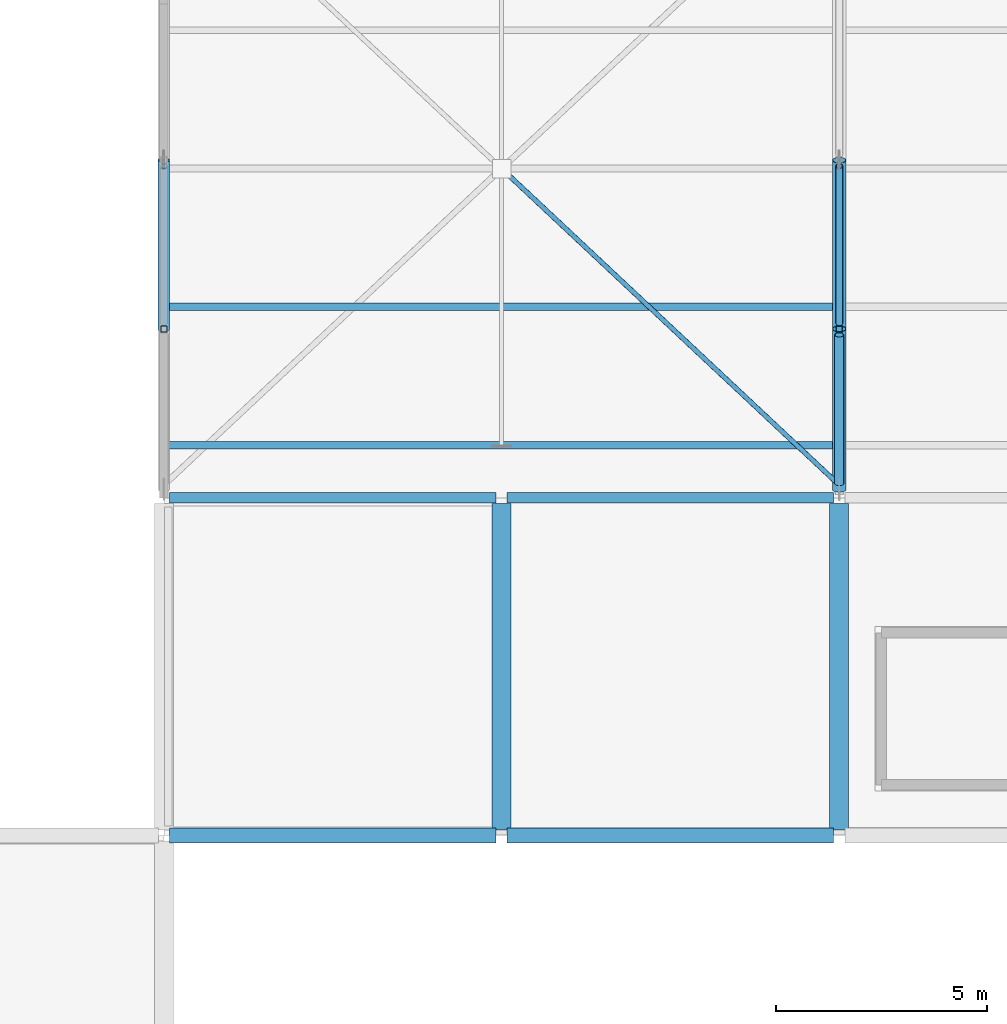
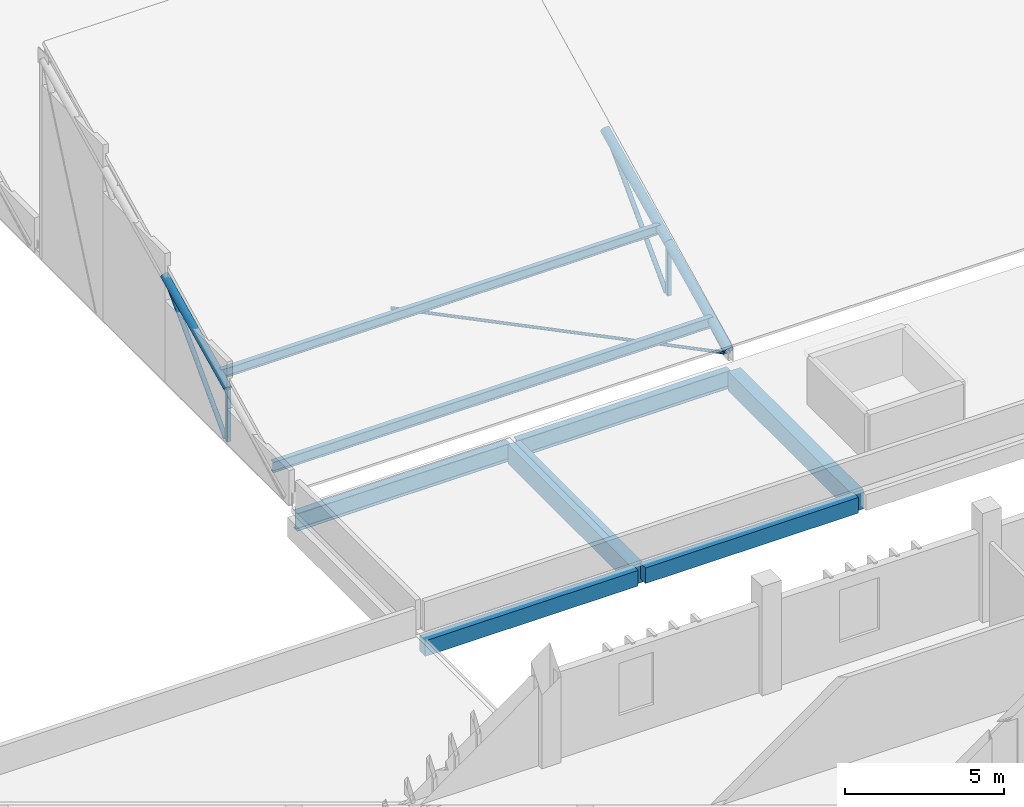
# One storey, part 36 of 137: 9 members, 8 beams.
"""IFC4 building model written with IfcOpenShell, lengths in metres."""

import ifcopenshell
import ifcopenshell.guid

model = None  # the IFC model being written
_history = None  # IfcOwnerHistory: only IFC2X3 demands one
_inside = {}  # id of a spatial element -> (the spatial element, [elements in it])
_under = {}  # id of a project, library or spatial element -> (it, [spatial elements below it])
_declared = {}  # id of a project -> (the project, [libraries it declares])
_typed = {}  # id of a type object -> (the type object, [elements of that type])
_made_of = {}  # id of a material, layer set ... -> (it, [elements and type objects made of it])


def new_model(schema):
    """Start an empty IFC model of exactly this schema.

    Asked for "IFC4X3", IfcOpenShell would pick the latest addendum, in which some entities
    have other attributes; the version numbers below select the first issue.
    IFC2X3 requires an IfcOwnerHistory on every rooted entity: one is made here for all.
    """
    global model, _history
    if schema == "IFC4X3":
        model = ifcopenshell.file(schema_version=(4, 3, 0, 0))
    else:
        model = ifcopenshell.file(schema=schema)
    _inside.clear()
    _under.clear()
    _declared.clear()
    _typed.clear()
    _made_of.clear()
    _history = None
    if model.schema == "IFC2X3":
        org = make("IfcOrganization", Name="unknown")
        user = make(
            "IfcPersonAndOrganization",
            ThePerson=make("IfcPerson", FamilyName="unknown"),
            TheOrganization=org,
        )
        app = make(
            "IfcApplication",
            ApplicationDeveloper=org,
            Version="unknown",
            ApplicationFullName="unknown",
            ApplicationIdentifier="unknown",
        )
        _history = make(
            "IfcOwnerHistory",
            OwningUser=user,
            OwningApplication=app,
            ChangeAction="ADDED",
            CreationDate=0,
        )
    return model


def make(cls, **values):
    """One entity of the class cls with the attributes given. An attribute that is None is left unset."""
    return model.create_entity(
        cls, **{name: value for name, value in values.items() if value is not None}
    )


def rooted(cls, **values):
    """An entity with a GlobalId (a new one), such as an element, a storey or a relation."""
    return make(cls, GlobalId=ifcopenshell.guid.new(), OwnerHistory=_history, **values)


def si_unit(unit_type, name, prefix=None):
    """IfcSIUnit, for example si_unit("LENGTHUNIT", "METRE", prefix="MILLI")."""
    return make("IfcSIUnit", UnitType=unit_type, Prefix=prefix, Name=name)


def assignment(units):
    """IfcUnitAssignment: the units of a project."""
    return None if units is None else make("IfcUnitAssignment", Units=units)


def point(xyz):
    """IfcCartesianPoint."""
    return None if xyz is None else make("IfcCartesianPoint", Coordinates=xyz)


def direction(xyz):
    """IfcDirection."""
    return None if xyz is None else make("IfcDirection", DirectionRatios=xyz)


def frame(location, z_axis=None, x_axis=None):
    """IfcAxis2Placement3D, a coordinate frame: its origin and axes. An axis left out is left unset."""
    return make(
        "IfcAxis2Placement3D",
        Location=point(location),
        Axis=direction(z_axis),
        RefDirection=direction(x_axis),
    )


def frame_2d(location, x_axis=None):
    """IfcAxis2Placement2D, a coordinate frame in the plane: its origin and x axis."""
    return make(
        "IfcAxis2Placement2D", Location=point(location), RefDirection=direction(x_axis)
    )


def origin():
    """The frame at (0, 0, 0) with its axes left unset."""
    return frame((0.0, 0.0, 0.0))


def origin_2d():
    """The frame at (0, 0) in the plane with its x axis left unset."""
    return frame_2d((0.0, 0.0))


def place(relative_to, where):
    """IfcLocalPlacement: puts the frame where relative to a parent placement (None: the world)."""
    return make(
        "IfcLocalPlacement", PlacementRelTo=relative_to, RelativePlacement=where
    )


def context(
    kind, dimensions, precision=None, world=None, true_north=None, identifier=None
):
    """IfcGeometricRepresentationContext, for example the 3D "Model" context."""
    return make(
        "IfcGeometricRepresentationContext",
        ContextIdentifier=identifier,
        ContextType=kind,
        CoordinateSpaceDimension=dimensions,
        Precision=precision,
        WorldCoordinateSystem=world,
        TrueNorth=true_north,
    )


def subcontext(parent, identifier, kind, view, scale=None):
    """IfcGeometricRepresentationSubContext, for example "Body" below "Model"."""
    return make(
        "IfcGeometricRepresentationSubContext",
        ContextIdentifier=identifier,
        ContextType=kind,
        ParentContext=parent,
        TargetScale=scale,
        TargetView=view,
    )


def project(units=None, contexts=None):
    """IfcProject with its units and contexts."""
    return rooted(
        "IfcProject",
        Name="project",
        RepresentationContexts=contexts,
        UnitsInContext=assignment(units),
    )


def spatial(cls, under=None, at=None, **own):
    """A site, building, storey or space (cls), placed at a placement, below another one or the project."""
    s = rooted(cls, ObjectPlacement=at, **own)
    if under is not None:
        _under.setdefault(under.id(), (under, []))[1].append(s)
    return s


def profile(cls, at=None, kind="AREA", **sizes):
    """A parametric profile (cls). Its sizes go by their IFC names, for example OverallWidth=200.0."""
    return make(cls, ProfileType=kind, Position=at, **sizes)


def rectangle(**sizes):
    """IfcRectangleProfileDef."""
    return profile("IfcRectangleProfileDef", **sizes)


def hollow_rectangle(**sizes):
    """IfcRectangleHollowProfileDef."""
    return profile("IfcRectangleHollowProfileDef", **sizes)


def hollow_circle(**sizes):
    """IfcCircleHollowProfileDef."""
    return profile("IfcCircleHollowProfileDef", **sizes)


def i_section(**sizes):
    """IfcIShapeProfileDef."""
    return profile("IfcIShapeProfileDef", **sizes)


def extrude(swept, where, along, depth):
    """IfcExtrudedAreaSolid: the profile swept, set in the frame where, extruded along a direction by depth."""
    return make(
        "IfcExtrudedAreaSolid",
        SweptArea=swept,
        Position=where,
        ExtrudedDirection=direction(along),
        Depth=depth,
    )


def shape(context_of_items, identifier, shape_type, items):
    """IfcShapeRepresentation: the items that make up one representation, for example the "Body"."""
    return make(
        "IfcShapeRepresentation",
        ContextOfItems=context_of_items,
        RepresentationIdentifier=identifier,
        RepresentationType=shape_type,
        Items=items,
    )


def material(Name=None, Category=None):
    """IfcMaterial."""
    return make("IfcMaterial", Name=Name, Category=Category)


def material_profile(
    of_material, cross_section, Name=None, Category=None, Priority=None
):
    """IfcMaterialProfile: a cross section and its material."""
    return make(
        "IfcMaterialProfile",
        Name=Name,
        Material=of_material,
        Profile=cross_section,
        Priority=Priority,
        Category=Category,
    )


def profile_set(profiles, Name=None, composite=None):
    """IfcMaterialProfileSet."""
    return make(
        "IfcMaterialProfileSet",
        Name=Name,
        MaterialProfiles=profiles,
        CompositeProfile=composite,
    )


def made_of(thing, what):
    """Note that an element or type object is made of a material, layer set ...; save() writes the relation."""
    if what is not None:
        _made_of.setdefault(what.id(), (what, []))[1].append(thing)
    return thing


def type_object(cls, material=None, **own):
    """A type object (cls), such as IfcWallType, which elements share."""
    return made_of(rooted(cls, **own), material)


def element(
    cls,
    number,
    at=None,
    inside=None,
    cuts=None,
    type_object=None,
    material=None,
    context=None,
    identifier="Body",
    shape_type=None,
    held_by="IfcProductDefinitionShape",
    body=None,
    shapes=None,
    **own,
):
    """One element of the class cls, such as IfcWall. Its Tag is "e" and its number.

    at: its placement. inside: the storey or other place that contains it. cuts: it is an
    opening in that element (IfcRelVoidsElement). A single representation is given by context,
    identifier, shape_type and body (its items); several are given by shapes. held_by: the class
    of the entity that holds the representations. save() writes the other relations.
    """
    e = rooted(cls, Tag="e%d" % number, ObjectPlacement=at, **own)
    if body is not None:
        shapes = [shape(context, identifier, shape_type, body)]
    if shapes is not None:
        e.Representation = make(held_by, Representations=shapes)
    if inside is not None:
        _inside.setdefault(inside.id(), (inside, []))[1].append(e)
    if cuts is not None:
        rooted(
            "IfcRelVoidsElement", RelatingBuildingElement=cuts, RelatedOpeningElement=e
        )
    if type_object is not None:
        _typed.setdefault(type_object.id(), (type_object, []))[1].append(e)
    return made_of(e, material)


def aggregate(whole, parts):
    """IfcRelAggregates: a whole, such as a stair, and the parts it consists of."""
    return rooted("IfcRelAggregates", RelatingObject=whole, RelatedObjects=parts)


def save(model, path):
    """Write the relations noted so far, then the file.

    IfcRelAggregates (storeys below a building ...), IfcRelContainedInSpatialStructure (elements
    in a storey), IfcRelDefinesByType, IfcRelAssociatesMaterial and IfcRelDeclares: one each for
    every whole, place, type object, material and project.
    """
    for whole, parts in _under.values():
        aggregate(whole, parts)
    for where, things in _inside.values():
        rooted(
            "IfcRelContainedInSpatialStructure",
            RelatedElements=things,
            RelatingStructure=where,
        )
    for kind, things in _typed.values():
        rooted("IfcRelDefinesByType", RelatedObjects=things, RelatingType=kind)
    for what, things in _made_of.values():
        rooted("IfcRelAssociatesMaterial", RelatedObjects=things, RelatingMaterial=what)
    for by, libraries in _declared.values():
        rooted("IfcRelDeclares", RelatingContext=by, RelatedDefinitions=libraries)
    model.write(path)


model = new_model("IFC4")

# Units and contexts
model_context = context("Model", 3, precision=1e-05, world=origin(), true_north=direction((0.0, 1.0)))
body_context = subcontext(model_context, "Body", "Model", "MODEL_VIEW")
ifc_project = project(units=[si_unit("LENGTHUNIT", "METRE"), si_unit("AREAUNIT", "SQUARE_METRE"), si_unit("VOLUMEUNIT", "CUBIC_METRE"), si_unit("PLANEANGLEUNIT", "RADIAN"), si_unit("MASSUNIT", "GRAM", prefix="KILO")], contexts=[model_context])

# Site, building, storey
site_placement = place(None, origin())
site = spatial("IfcSite", under=ifc_project, at=site_placement, CompositionType="ELEMENT")
building_placement = place(site_placement, origin())
building = spatial("IfcBuilding", under=site, at=building_placement, Name="Jelvoka-Kovrelna Polytechnic", CompositionType="ELEMENT")
storey_placement = place(building_placement, frame((0.0, 0.0, 9.60009765625)))
storey = spatial("IfcBuildingStorey", under=building, at=storey_placement, Name="L03", CompositionType="ELEMENT", Elevation=9.60009765625)

# Beams
ifc_material_1 = material(Name="Concrete C40/50", Category="concrete")
ifc_material_profile_1 = material_profile(ifc_material_1, rectangle(XDim=0.449951171875, YDim=0.75, at=origin_2d()), Name="RC 450x750")
ifc_profile_set_1 = profile_set([ifc_material_profile_1], Name="Concrete C40/50")
beam_type_1 = type_object("IfcBeamType", Name="Beam_RC_450x750", PredefinedType="BEAM", material=ifc_profile_set_1)
for number, where, z_axis, x_axis, name in (
    (1, (96.0, 80.1337890625, -0.585205078125), (0.0, 1.0, 0.0), (-1.0, 0.0, 0.0), "L03 beam 2087"),
    (2, (104.0, 80.1337890625, -0.585205078125), (0.0, 1.0, 0.0), (-1.0, 0.0, 0.0), "L03 beam 2088"),
):
    element("IfcBeam", number, at=place(storey_placement, frame(where, z_axis=z_axis, x_axis=x_axis)), inside=storey, type_object=beam_type_1, Name=name, PredefinedType="BEAM", context=body_context, shape_type="SweptSolid", body=[
        extrude(rectangle(XDim=0.449951171875, YDim=0.75, at=origin_2d()), origin(), (0.0, 0.0, 1.0), 7.732421875),
    ])
ifc_material_2 = material(Name="Structural steel S355JR", Category="steel")
ifc_material_profile_2 = material_profile(ifc_material_2, i_section(OverallWidth=0.2529296875, OverallDepth=0.677978515625, WebThickness=0.01171875, FlangeThickness=0.01611328125, FilletRadius=0.01513671875, at=origin_2d()), Name="686x254x125 UB")
ifc_profile_set_2 = profile_set([ifc_material_profile_2], Name="Structural steel S355JR")
beam_type_2 = type_object("IfcBeamType", Name="Girder_Steel_UB686", PredefinedType="BEAM", material=ifc_profile_set_2)
for number, where, z_axis, x_axis, name in (
    (3, (88.132568359375, 88.0, -0.549072265625), (1.0, 0.0, 0.0), (0.0, 1.0, 0.0), "L03 beam 0089"),
    (4, (96.132568359375, 88.0, -0.549072265625), (1.0, 0.0, 0.0), (0.0, 1.0, 0.0), "L03 beam 0091"),
):
    element("IfcBeam", number, at=place(storey_placement, frame(where, z_axis=z_axis, x_axis=x_axis)), inside=storey, type_object=beam_type_2, Name=name, PredefinedType="BEAM", context=body_context, shape_type="SweptSolid", body=[
        extrude(i_section(OverallWidth=0.2529296875, OverallDepth=0.677978515625, WebThickness=0.01171875, FlangeThickness=0.01611328125, FilletRadius=0.01513671875, at=origin_2d()), origin(), (0.0, 0.0, 1.0), 7.73486328125),
    ])

# Members
ifc_material_3 = material(Name="Structural steel S355J2H", Category="steel")
ifc_material_profile_3 = material_profile(ifc_material_3, hollow_circle(Radius=0.05712890625, WallThickness=0.00634765625, at=origin_2d()), Name="114.3x6.3 CHS")
ifc_profile_set_3 = profile_set([ifc_material_profile_3], Name="Structural steel S355J2H")
member_type_1 = type_object("IfcMemberType", Name="Member_Brace_CHS114", PredefinedType="BRACE", material=ifc_profile_set_3)
member_1_placement = place(storey_placement, frame((96.065673828125, 95.738525390625, 0.14990234375), z_axis=(0.729679522085, -0.683789291412, 0.0), x_axis=(0.683789291412, 0.729679522085, 0.0)))
element("IfcMember", 5, at=member_1_placement, inside=storey, type_object=member_type_1, Name="Sawtooth roof split X-brace half-diagonal 0203B", PredefinedType="BRACE", context=body_context, shape_type="SweptSolid", body=[
    extrude(hollow_circle(Radius=0.05712890625, WallThickness=0.00634765625, at=origin_2d()), origin(), (0.0, 0.0, 1.0), 10.80517578125),
])
ifc_material_4 = material(Name="Structural steel S355J2H", Category="steel")
ifc_material_profile_4 = material_profile(ifc_material_4, hollow_circle(Radius=0.084228515625, WallThickness=0.008056640625, at=origin_2d()), Name="168.3x8.0 CHS")
ifc_profile_set_4 = profile_set([ifc_material_profile_4], Name="Structural steel S355J2H")
member_type_2 = type_object("IfcMemberType", Name="Member_Brace_CHS168", PredefinedType="BRACE", material=ifc_profile_set_4)
for number, where, z_axis, x_axis, name in (
    (6, (88.0, 92.139892578125, 0.14990234375), (0.0, 0.69521468222, 0.718802160282), (-1.0, 0.0, 0.0), "Sawtooth truss 1 diagonal web 1.2"),
    (7, (104.0, 92.139892578125, 0.14990234375), (0.0, 0.69521468222, 0.718802160282), (-1.0, 0.0, 0.0), "Sawtooth truss 2 diagonal web 1.2"),
):
    element("IfcMember", number, at=place(storey_placement, frame(where, z_axis=z_axis, x_axis=x_axis)), inside=storey, type_object=member_type_2, Name=name, PredefinedType="BRACE", context=body_context, shape_type="SweptSolid", body=[
        extrude(hollow_circle(Radius=0.084228515625, WallThickness=0.008056640625, at=origin_2d()), origin(), (0.0, 0.0, 1.0), 5.35107421875),
    ])
ifc_material_5 = material(Name="Structural steel S355J2H", Category="steel")
ifc_material_profile_5 = material_profile(ifc_material_5, hollow_circle(Radius=0.109619140625, WallThickness=0.008056640625, at=origin_2d()), Name="219.1x8.0 CHS")
ifc_profile_set_5 = profile_set([ifc_material_profile_5], Name="Structural steel S355J2H")
member_type_3 = type_object("IfcMemberType", Name="Member_Brace_CHS219", PredefinedType="BRACE", material=ifc_profile_set_5)
member_2_placement = place(storey_placement, frame((104.0, 88.340087890625, 0.14990234375), z_axis=(0.0, 0.878084029324, 0.478506465418), x_axis=(-1.0, 0.0, 0.0)))
element("IfcMember", 8, at=member_2_placement, inside=storey, type_object=member_type_3, Name="Sawtooth truss 2 diagonal web 1.1", PredefinedType="BRACE", context=body_context, shape_type="SweptSolid", body=[
    extrude(hollow_circle(Radius=0.109619140625, WallThickness=0.008056640625, at=origin_2d()), origin(), (0.0, 0.0, 1.0), 4.0087890625),
])
ifc_material_6 = material(Name="Structural steel S355J2H", Category="steel")
ifc_material_profile_6 = material_profile(ifc_material_6, hollow_circle(Radius=0.136474609375, WallThickness=0.010009765625, at=origin_2d()), Name="273.0x10.0 CHS")
ifc_profile_set_6 = profile_set([ifc_material_profile_6], Name="Structural steel S355J2H")
member_type_4 = type_object("IfcMemberType", Name="Member_Chord_CHS273", PredefinedType="CHORD", material=ifc_profile_set_6)
member_3_placement = place(storey_placement, frame((88.0, 92.0, 2.148193359375), z_axis=(0.0, 0.900799405566, 0.434235455637), x_axis=(-1.0, 0.0, 0.0)))
element("IfcMember", 9, at=member_3_placement, inside=storey, type_object=member_type_4, Name="Sawtooth truss 1 top chord 1.2", PredefinedType="CHORD", context=body_context, shape_type="SweptSolid", body=[
    extrude(hollow_circle(Radius=0.136474609375, WallThickness=0.010009765625, at=origin_2d()), origin(), (0.0, 0.0, 1.0), 4.4404296875),
])
ifc_material_7 = material(Name="Structural steel S355J2H", Category="steel")
ifc_material_profile_7 = material_profile(ifc_material_7, hollow_circle(Radius=0.161865234375, WallThickness=0.010009765625, at=origin_2d()), Name="323.9x10.0 CHS")
ifc_profile_set_7 = profile_set([ifc_material_profile_7], Name="Structural steel S355J2H")
member_type_5 = type_object("IfcMemberType", Name="Member_Chord_CHS324", PredefinedType="CHORD", material=ifc_profile_set_7)
member_4_placement = place(storey_placement, frame((104.0, 88.199951171875, 0.31640625), z_axis=(0.0, 0.900803851837, 0.434226231952), x_axis=(-1.0, 0.0, 0.0)))
element("IfcMember", 10, at=member_4_placement, inside=storey, type_object=member_type_5, Name="Sawtooth truss 2 top chord 1.1", PredefinedType="CHORD", context=body_context, shape_type="SweptSolid", body=[
    extrude(hollow_circle(Radius=0.161865234375, WallThickness=0.010009765625, at=origin_2d()), origin(), (0.0, 0.0, 1.0), 4.218505859375),
])
member_5_placement = place(storey_placement, frame((104.0, 92.0, 2.148193359375), z_axis=(0.0, 0.900799405566, 0.434235455637), x_axis=(-1.0, 0.0, 0.0)))
element("IfcMember", 11, at=member_5_placement, inside=storey, type_object=member_type_5, Name="Sawtooth truss 2 top chord 1.2", PredefinedType="CHORD", context=body_context, shape_type="SweptSolid", body=[
    extrude(hollow_circle(Radius=0.161865234375, WallThickness=0.010009765625, at=origin_2d()), origin(), (0.0, 0.0, 1.0), 4.4404296875),
])
ifc_material_8 = material(Name="Structural steel S355J2H", Category="steel")
ifc_material_profile_8 = material_profile(ifc_material_8, hollow_rectangle(XDim=0.14990234375, YDim=0.14990234375, WallThickness=0.008056640625, InnerFilletRadius=0.008056640625, OuterFilletRadius=0.011962890625, at=origin_2d()), Name="150x150x8.0 SHS")
ifc_profile_set_8 = profile_set([ifc_material_profile_8], Name="Structural steel S355J2H")
member_type_6 = type_object("IfcMemberType", Name="Member_Post_SHS150", PredefinedType="POST", material=ifc_profile_set_8)
for number, where, z_axis, x_axis, name in (
    (12, (88.0, 92.0, 0.14990234375), (0.0, 0.0, 1.0), (1.0, 0.0, 0.0), "Sawtooth truss 1 web post 1.2"),
    (13, (104.0, 92.0, 0.14990234375), (0.0, 0.0, 1.0), (1.0, 0.0, 0.0), "Sawtooth truss 2 web post 1.2"),
):
    element("IfcMember", number, at=place(storey_placement, frame(where, z_axis=z_axis, x_axis=x_axis)), inside=storey, type_object=member_type_6, Name=name, PredefinedType="POST", context=body_context, shape_type="SweptSolid", body=[
        extrude(hollow_rectangle(XDim=0.14990234375, YDim=0.14990234375, WallThickness=0.008056640625, InnerFilletRadius=0.008056640625, OuterFilletRadius=0.011962890625, at=origin_2d()), origin(), (0.0, 0.0, 1.0), 1.998291015625),
    ])

# Beams
ifc_material_9 = material(Name="Structural steel S355JR", Category="steel")
ifc_material_profile_9 = material_profile(ifc_material_9, i_section(OverallWidth=0.17138671875, OverallDepth=0.35498046875, WebThickness=0.00732421875, FlangeThickness=0.011474609375, FilletRadius=0.01025390625, at=origin_2d()), Name="356x171x51 UB")
ifc_profile_set_9 = profile_set([ifc_material_profile_9], Name="Structural steel S355JR")
beam_type_3 = type_object("IfcBeamType", Name="Purlin_Steel_UB356", PredefinedType="JOIST", material=ifc_profile_set_9)
beam_1_placement = place(storey_placement, frame((88.02001953125, 92.52392578125, 2.400634765625), z_axis=(1.0, 0.0, 0.0), x_axis=(0.0, 1.0, 0.0)))
element("IfcBeam", 14, at=beam_1_placement, inside=storey, type_object=beam_type_3, Name="Sawtooth roof purlin 002", PredefinedType="JOIST", context=body_context, shape_type="SweptSolid", body=[
    extrude(i_section(OverallWidth=0.17138671875, OverallDepth=0.35498046875, WebThickness=0.00732421875, FlangeThickness=0.011474609375, FilletRadius=0.01025390625, at=origin_2d()), origin(), (0.0, 0.0, 1.0), 15.9599609375),
])
ifc_material_10 = material(Name="Structural steel S355JR", Category="steel")
ifc_material_profile_10 = material_profile(ifc_material_10, i_section(OverallWidth=0.177978515625, OverallDepth=0.406494140625, WebThickness=0.0078125, FlangeThickness=0.0126953125, FilletRadius=0.01025390625, at=origin_2d()), Name="406x178x60 UB")
ifc_profile_set_10 = profile_set([ifc_material_profile_10], Name="Structural steel S355JR")
beam_type_4 = type_object("IfcBeamType", Name="Purlin_Steel_UB406", PredefinedType="JOIST", material=ifc_profile_set_10)
beam_2_placement = place(storey_placement, frame((88.02001953125, 89.248046875, 0.821533203125), z_axis=(1.0, 0.0, 0.0), x_axis=(0.0, 1.0, 0.0)))
element("IfcBeam", 15, at=beam_2_placement, inside=storey, type_object=beam_type_4, Name="Sawtooth roof purlin 001", PredefinedType="JOIST", context=body_context, shape_type="SweptSolid", body=[
    extrude(i_section(OverallWidth=0.177978515625, OverallDepth=0.406494140625, WebThickness=0.0078125, FlangeThickness=0.0126953125, FilletRadius=0.01025390625, at=origin_2d()), origin(), (0.0, 0.0, 1.0), 15.9599609375),
])
ifc_material_11 = material(Name="Concrete C40/50", Category="concrete")
ifc_material_profile_11 = material_profile(ifc_material_11, rectangle(XDim=0.35009765625, YDim=0.60009765625, at=origin_2d()), Name="RC 350x600")
ifc_profile_set_11 = profile_set([ifc_material_profile_11], Name="Concrete C40/50")
beam_type_5 = type_object("IfcBeamType", Name="Spandrel_RC_350x600", PredefinedType="SPANDREL", material=ifc_profile_set_11)
for number, where, z_axis, x_axis, name in (
    (16, (88.132568359375, 80.0, -0.510009765625), (1.0, 0.0, 0.0), (0.0, 1.0, 0.0), "L03 beam 2072"),
    (17, (96.132568359375, 80.0, -0.510009765625), (1.0, 0.0, 0.0), (0.0, 1.0, 0.0), "L03 beam 2073"),
):
    element("IfcBeam", number, at=place(storey_placement, frame(where, z_axis=z_axis, x_axis=x_axis)), inside=storey, type_object=beam_type_5, Name=name, PredefinedType="SPANDREL", context=body_context, shape_type="SweptSolid", body=[
        extrude(rectangle(XDim=0.35009765625, YDim=0.60009765625, at=origin_2d()), origin(), (0.0, 0.0, 1.0), 7.73486328125),
    ])

save(model, "model.ifc")
